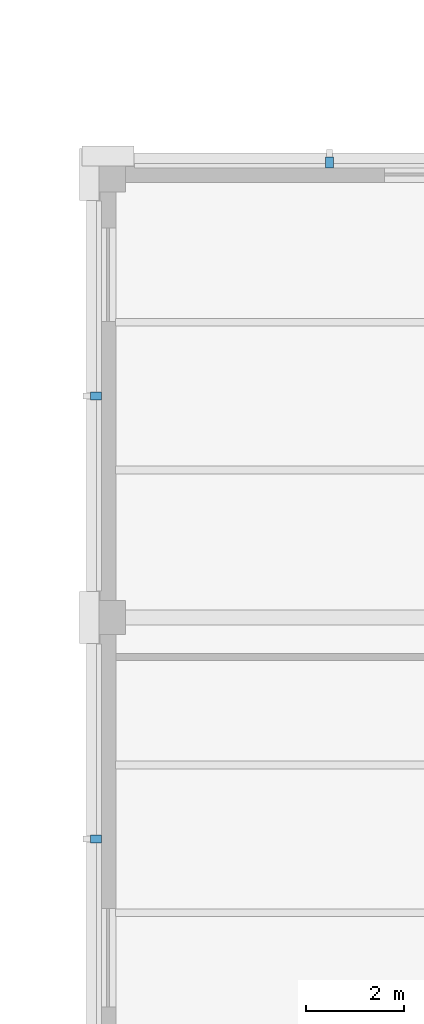
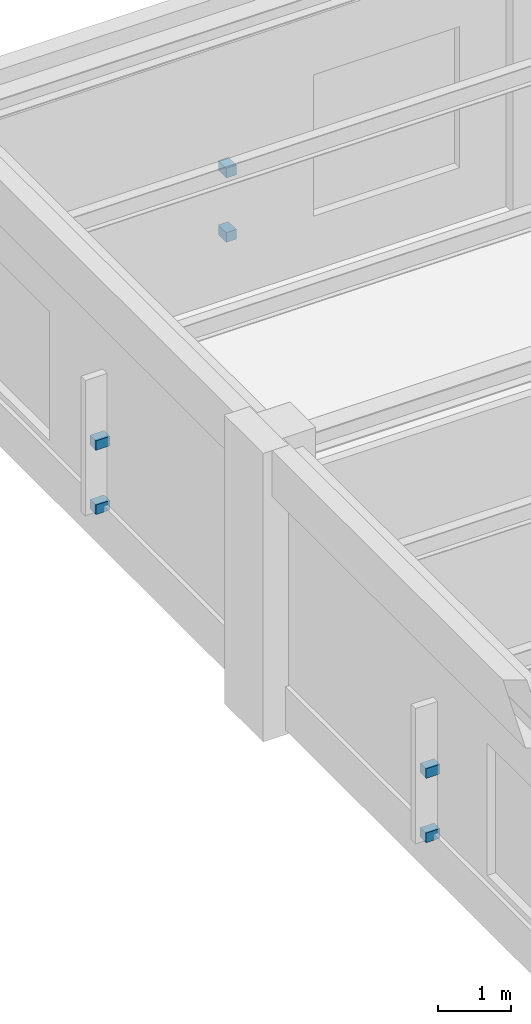
# One storey, part 89 of 98: 6 discrete accessories.
"""IFC4 building model written with IfcOpenShell, lengths in metres."""

from ifc_helpers import new_model, si_unit, direction, frame, origin, origin_2d, place, context, subcontext, project, spatial, rectangle, extrude, material, type_object, element, save


model = new_model("IFC4")

# Units and contexts
model_context = context("Model", 3, precision=1e-05, world=origin(), true_north=direction((0.0, 1.0)))
body_context = subcontext(model_context, "Body", "Model", "MODEL_VIEW")
ifc_project = project(units=[si_unit("LENGTHUNIT", "METRE"), si_unit("AREAUNIT", "SQUARE_METRE"), si_unit("VOLUMEUNIT", "CUBIC_METRE"), si_unit("PLANEANGLEUNIT", "RADIAN"), si_unit("MASSUNIT", "GRAM", prefix="KILO")], contexts=[model_context])

# Site, building, storey
site_placement = place(None, origin())
site = spatial("IfcSite", under=ifc_project, at=site_placement, CompositionType="ELEMENT")
building_placement = place(site_placement, origin())
building = spatial("IfcBuilding", under=site, at=building_placement, Name="Lykobir Media Centre", CompositionType="ELEMENT")
storey_placement = place(building_placement, frame((0.0, 0.0, 10.199951171875)))
storey = spatial("IfcBuildingStorey", under=building, at=storey_placement, Name="L02", CompositionType="ELEMENT", Elevation=10.199951171875)

# Discrete accessories
ifc_material = material(Name="Steel S355", Category="steel")
discrete_accessory_type = type_object("IfcDiscreteAccessoryType", Name="ACC-BRK", PredefinedType="BRACKET", material=ifc_material)
for number, where, z_axis, x_axis, name in (
    (1, (31.5, 108.2451171875, 0.7001953125), (0.0, 0.0, 1.0), (-1.0, 0.0, 0.0), "Cumba corbel bracket 11"),
    (2, (31.5, 108.2451171875, 1.77001953125), (0.0, 0.0, 1.0), (-1.0, 0.0, 0.0), "Shading fin bracket 12"),
    (3, (26.7548828125, 94.5, 0.7001953125), (0.0, 0.0, 1.0), (0.0, -1.0, 0.0), "Cumba corbel bracket 13"),
    (4, (26.7548828125, 94.5, 1.77001953125), (0.0, 0.0, 1.0), (0.0, -1.0, 0.0), "Shading fin bracket 14"),
    (5, (26.7548828125, 103.5, 0.7001953125), (0.0, 0.0, 1.0), (0.0, -1.0, 0.0), "Cumba corbel bracket 15"),
    (6, (26.7548828125, 103.5, 1.77001953125), (0.0, 0.0, 1.0), (0.0, -1.0, 0.0), "Shading fin bracket 16"),
):
    element("IfcDiscreteAccessory", number, at=place(storey_placement, frame(where, z_axis=z_axis, x_axis=x_axis)), inside=storey, type_object=discrete_accessory_type, Name=name, PredefinedType="BRACKET", context=body_context, shape_type="SweptSolid", body=[
        extrude(rectangle(XDim=0.159912109375, YDim=0.219970703125, at=origin_2d()), origin(), (0.0, 0.0, 1.0), 0.159912109375),
    ])

save(model, "model.ifc")
